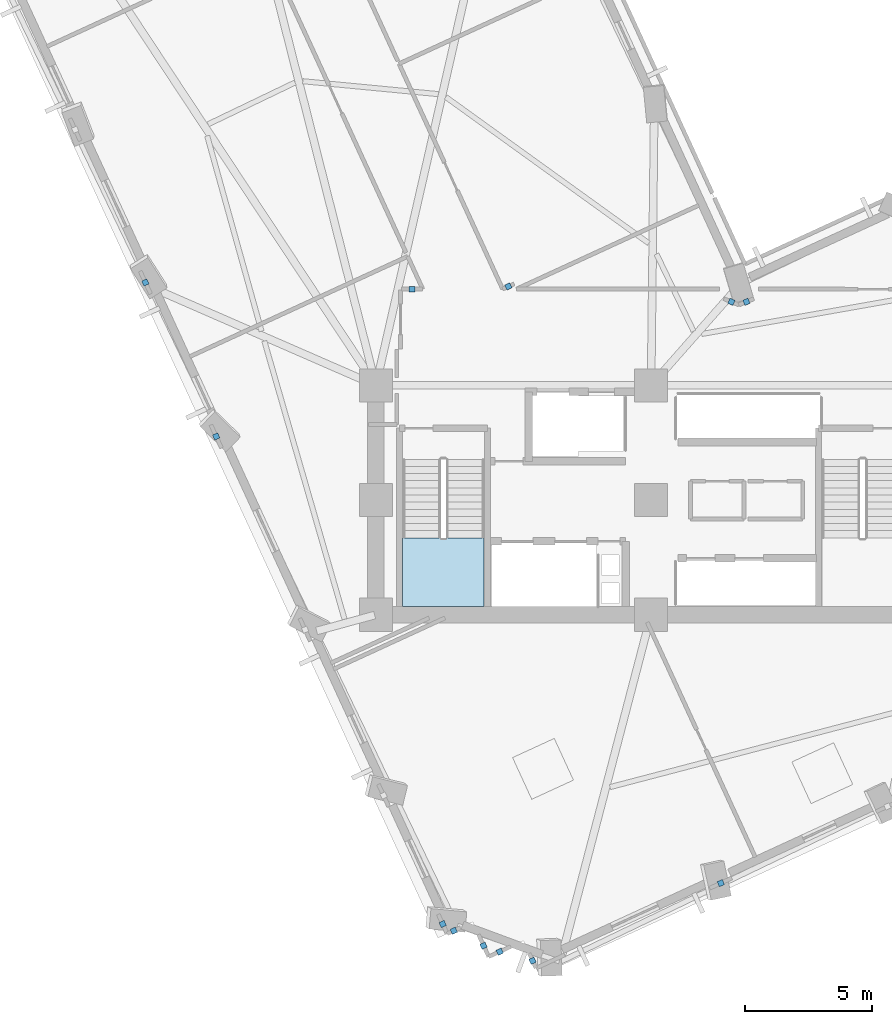
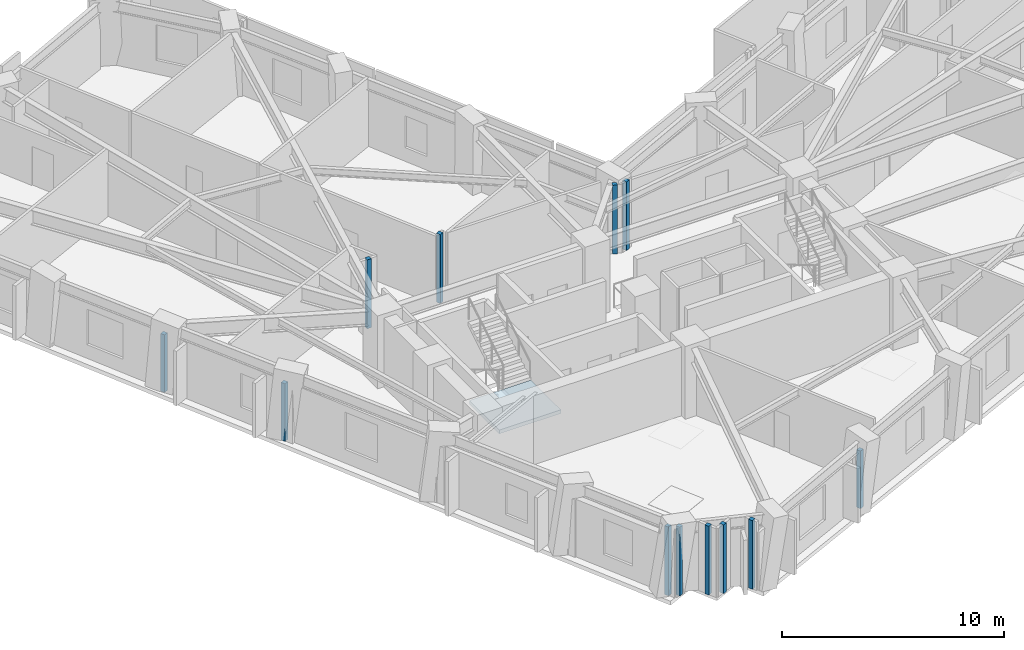
# One storey, part 3 of 16: 12 plates, 1 slab, 1 element without a shape of its own.
"""IFC4 building model written with IfcOpenShell, lengths in metres."""

from ifc_helpers import new_model, si_unit, direction, frame, origin, origin_2d, place, context, subcontext, project, spatial, polyline, rectangle, outline, extrude, material, layer, layer_set, type_object, element, aggregate, save


model = new_model("IFC4")

# Units and contexts
model_context = context("Model", 3, precision=1e-05, world=origin(), true_north=direction((0.0, 1.0)))
body_context = subcontext(model_context, "Body", "Model", "MODEL_VIEW")
ifc_project = project(units=[si_unit("LENGTHUNIT", "METRE"), si_unit("AREAUNIT", "SQUARE_METRE"), si_unit("VOLUMEUNIT", "CUBIC_METRE"), si_unit("PLANEANGLEUNIT", "RADIAN"), si_unit("MASSUNIT", "GRAM", prefix="KILO")], contexts=[model_context])

# Site, building, storey
site_placement = place(None, origin())
site = spatial("IfcSite", under=ifc_project, at=site_placement, CompositionType="ELEMENT")
building_placement = place(site_placement, origin())
building = spatial("IfcBuilding", under=site, at=building_placement, Name="Gaonmaruhae Medical Tower", CompositionType="ELEMENT")
storey_placement = place(building_placement, frame((0.0, 0.0, 128.39990234375)))
storey = spatial("IfcBuildingStorey", under=building, at=storey_placement, Name="L30", CompositionType="ELEMENT", Elevation=128.39990234375)

# Plates
ifc_material_1 = material(Name="Anodised aluminium 6063-T6", Category="aluminium")
ifc_layer_1 = layer(ifc_material_1, 0.011962890625)
ifc_layer_set_1 = layer_set([ifc_layer_1], Name="Anodised aluminium 6063-T6")
plate_type = type_object("IfcPlateType", Name="PP-01 Interior Partition Corner Stiffener Plate", PredefinedType="SHEET", material=ifc_layer_set_1)
for number, where, z_axis, x_axis, name in (
    (1, (18.224609375, -5.18896484375, 0.0), (0.0, 0.0, 1.0), (-0.417803646947, 0.908537347938, 0.0), "L30 Partition Corner Stiffener Plate PLT-L30-JGP-PW008"),
    (2, (17.05859375, -4.6025390625, 0.0), (0.0, 0.0, 1.0), (-0.908318461929, -0.418279298697, 0.0), "L30 Partition Corner Stiffener Plate PLT-L30-JGP-PW009"),
    (3, (16.623046875, -4.339111328125, 0.0), (0.0, 0.0, 1.0), (-0.41754991917, 0.9086539853, 0.0), "L30 Partition Corner Stiffener Plate PLT-L30-JGP-PW010"),
):
    element("IfcPlate", number, at=place(storey_placement, frame(where, z_axis=z_axis, x_axis=x_axis)), inside=storey, type_object=plate_type, Name=name, PredefinedType="SHEET", context=body_context, shape_type="SweptSolid", body=[
        extrude(rectangle(XDim=0.219970703125, YDim=0.219970703125, at=origin_2d()), origin(), (0.0, 0.0, 1.0), 3.780029296875),
    ])
plate_1_placement = place(storey_placement, frame((27.535888671875, -2.73291015625, 0.0), z_axis=(0.0, 0.0, 1.0), x_axis=(-0.908267352694, -0.418390267609, 0.0)))
element("IfcPlate", 4, at=plate_1_placement, inside=storey, type_object=plate_type, Name="L30 Partition Corner Stiffener Plate PLT-L30-JGP-PW014", PredefinedType="SHEET", context=body_context, shape_type="SweptSolid", body=[
    extrude(rectangle(XDim=0.219970703125, YDim=0.219970703125, at=origin_2d()), origin(), (0.0, 0.0, 1.0), 3.1650390625),
])
for number, where, z_axis, x_axis, name in (
    (5, (20.1474609375, -5.779541015625, 0.0), (0.0, 0.0, 1.0), (-0.41756577811, 0.90864669754, 0.0), "L30 Partition Corner Stiffener Plate PLT-L30-JGP-PW016"),
    (6, (18.861083984375, -5.424560546875, 0.0), (0.0, 0.0, 1.0), (-0.908537347938, -0.417803646947, 0.0), "L30 Partition Corner Stiffener Plate PLT-L30-JGP-PW017"),
):
    element("IfcPlate", number, at=place(storey_placement, frame(where, z_axis=z_axis, x_axis=x_axis)), inside=storey, type_object=plate_type, Name=name, PredefinedType="SHEET", context=body_context, shape_type="SweptSolid", body=[
        extrude(rectangle(XDim=0.219970703125, YDim=0.219970703125, at=origin_2d()), origin(), (0.0, 0.0, 1.0), 3.780029296875),
    ])
plate_2_placement = place(storey_placement, frame((7.732421875, 14.798095703125, 0.0), z_axis=(0.0, 0.0, 1.0), x_axis=(-0.417978065895, 0.908457118653, 0.0)))
element("IfcPlate", 7, at=plate_2_placement, inside=storey, type_object=plate_type, Name="L30 Partition Corner Stiffener Plate PLT-L30-JGP-PW043", PredefinedType="SHEET", context=body_context, shape_type="SweptSolid", body=[
    extrude(rectangle(XDim=0.219970703125, YDim=0.219970703125, at=origin_2d()), origin(), (0.0, 0.0, 1.0), 3.1650390625),
])
plate_3_placement = place(storey_placement, frame((15.41748046875, 20.580078125, 0.0), z_axis=(0.0, 0.0, 1.0), x_axis=(-1.0, 0.0, 0.0)))
element("IfcPlate", 8, at=plate_3_placement, inside=storey, type_object=plate_type, Name="L30 Partition Corner Stiffener Plate PLT-L30-JGP-PW046", PredefinedType="SHEET", context=body_context, shape_type="SweptSolid", body=[
    extrude(rectangle(XDim=0.219970703125, YDim=0.219970703125, at=origin_2d()), origin(), (0.0, 0.0, 1.0), 3.780029296875),
])
plate_4_placement = place(storey_placement, frame((4.9541015625, 20.839599609375, 0.0), z_axis=(0.0, 0.0, 1.0), x_axis=(-0.417248575145, 0.908792400133, 0.0)))
element("IfcPlate", 9, at=plate_4_placement, inside=storey, type_object=plate_type, Name="L30 Partition Corner Stiffener Plate PLT-L30-JGP-PW049", PredefinedType="SHEET", context=body_context, shape_type="SweptSolid", body=[
    extrude(rectangle(XDim=0.219970703125, YDim=0.219970703125, at=origin_2d()), origin(), (0.0, 0.0, 1.0), 3.1650390625),
])
for number, where, z_axis, x_axis, name in (
    (10, (28.54150390625, 20.08056640625, 0.0), (0.0, 0.0, 1.0), (-0.923310793754, -0.384053613623, 0.0), "L30 Partition Corner Stiffener Plate PLT-L30-JGP-PW059"),
    (11, (27.951904296875, 20.08056640625, 0.0), (0.0, 0.0, 1.0), (-0.923538533177, 0.383505642381, 0.0), "L30 Partition Corner Stiffener Plate PLT-L30-JGP-PW060"),
    (12, (19.199462890625, 20.68310546875, 0.0), (0.0, 0.0, 1.0), (-0.908901604409, -0.417010639555, 0.0), "L30 Partition Corner Stiffener Plate PLT-L30-JGP-PW082"),
):
    element("IfcPlate", number, at=place(storey_placement, frame(where, z_axis=z_axis, x_axis=x_axis)), inside=storey, type_object=plate_type, Name=name, PredefinedType="SHEET", context=body_context, shape_type="SweptSolid", body=[
        extrude(rectangle(XDim=0.219970703125, YDim=0.219970703125, at=origin_2d()), origin(), (0.0, 0.0, 1.0), 3.780029296875),
    ])

# Stair, slab
ifc_material_2 = material(Name="Concrete C40/50", Category="concrete")
stair_type = type_object("IfcStairType", Name="ST-T1 Primary Core Escape Dogleg Stair", PredefinedType="TWO_QUARTER_TURN_STAIR", material=ifc_material_2)
stair_placement = place(storey_placement, origin())
stair = element("IfcStair", 13, at=stair_placement, inside=storey, type_object=stair_type, Name="L30 Protected Escape Stair ST-01", PredefinedType="TWO_QUARTER_TURN_STAIR")
ifc_layer_2 = layer(ifc_material_2, 0.199951171875)
ifc_layer_set_2 = layer_set([ifc_layer_2], Name="Concrete C40/50")
slab_type = type_object("IfcSlabType", Name="SL-200 Stair & Ramp Intermediate Concrete Landing", PredefinedType="LANDING", material=ifc_layer_set_2)
slab_placement = place(storey_placement, frame((0.0, 0.0, 1.800048828125)))
slab = element("IfcSlab", 14, at=slab_placement, type_object=slab_type, Name="ST-01 landing 1", PredefinedType="LANDING", context=body_context, shape_type="SweptSolid", body=[
    extrude(outline(polyline([(15.050048828125, 10.820068359375), (15.050048828125, 8.12890625), (18.25, 8.12890625), (18.25, 10.820068359375), (15.050048828125, 10.820068359375)])), origin(), (0.0, 0.0, 1.0), 0.199951171875),
])
aggregate(stair, [slab])

save(model, "model.ifc")
